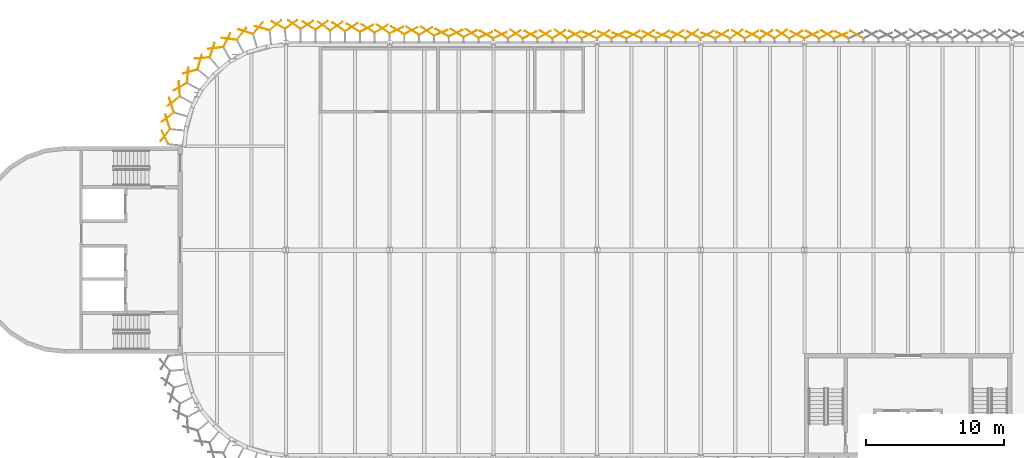
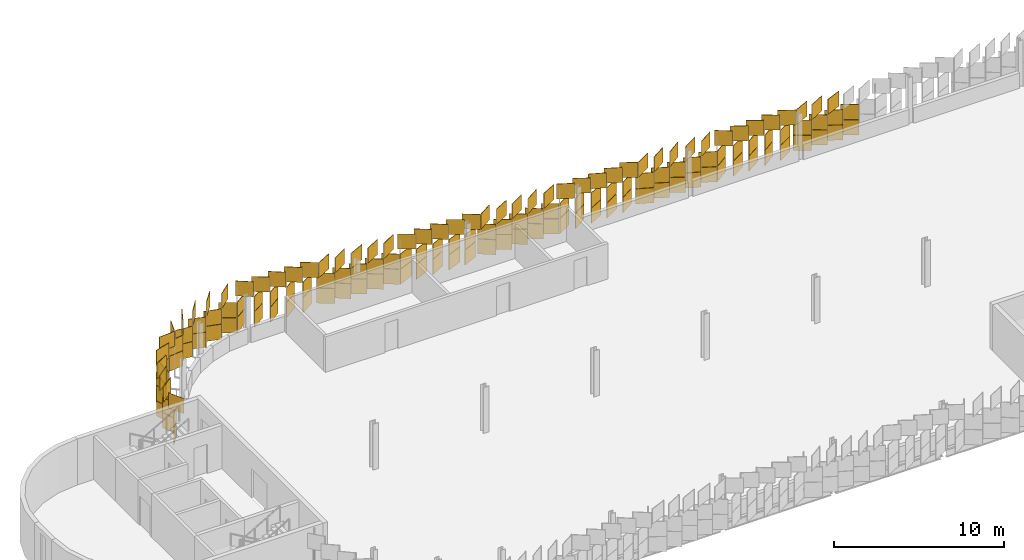
# One storey, part 195 of 198: 149 coverings.
"""IFC4 building model written with IfcOpenShell, lengths in metres."""

from ifc_helpers import new_model, si_unit, direction, frame, origin, origin_2d, place, context, subcontext, project, spatial, rectangle, extrude, material, layer, layer_set, type_object, element, save


model = new_model("IFC4")

# Units and contexts
model_context = context("Model", 3, precision=1e-05, world=origin(), true_north=direction((0.0, 1.0)))
body_context = subcontext(model_context, "Body", "Model", "MODEL_VIEW")
ifc_project = project(units=[si_unit("LENGTHUNIT", "METRE"), si_unit("AREAUNIT", "SQUARE_METRE"), si_unit("VOLUMEUNIT", "CUBIC_METRE"), si_unit("PLANEANGLEUNIT", "RADIAN"), si_unit("MASSUNIT", "GRAM", prefix="KILO")], contexts=[model_context])

# Site, building, storey
site_placement = place(None, origin())
site = spatial("IfcSite", under=ifc_project, at=site_placement, CompositionType="ELEMENT")
building_placement = place(site_placement, origin())
building = spatial("IfcBuilding", under=site, at=building_placement, Name="Parallax Yard Mobility Hub", CompositionType="ELEMENT")
storey_placement = place(building_placement, frame((0.0, 0.0, 6.60009765625)))
storey = spatial("IfcBuildingStorey", under=building, at=storey_placement, Name="L02", CompositionType="ELEMENT", Elevation=6.60009765625)

# Coverings
ifc_material_1 = material(Name="Aluminium panel, champagne finish", Category="aluminium")
ifc_layer_1 = layer(ifc_material_1, 0.030029296875)
ifc_layer_set_1 = layer_set([ifc_layer_1], Name="Skin panel 22.5 degree turn, champagne finish")
covering_type_1 = type_object("IfcCoveringType", Name="Skin panel 22.5 degree turn, champagne finish", PredefinedType="CLADDING", material=ifc_layer_set_1)
for number, where, z_axis, x_axis, name in (
    (1, (70.146484375, 143.012939453125, 2.219970703125), (0.0, 0.0, 1.0), (0.923879532511, 0.382683432365, 0.0), "Skin panel 22.5 bay 64.5 row 3 level L02"),
    (2, (60.546142578125, 143.012939453125, 1.119873046875), (0.0, 0.0, 1.0), (-0.923879532511, 0.382683432365, 0.0), "Skin panel 22.5 bay 65.7 row 2 level L02"),
    (3, (57.331298828125, 143.012939453125, 1.119873046875), (0.0, 0.0, 1.0), (-0.923879532511, 0.382683432365, 0.0), "Skin panel 22.5 bay 66.3 row 2 level L02"),
    (4, (54.11669921875, 143.012939453125, 2.219970703125), (0.0, 0.0, 1.0), (-0.923879532511, 0.382683432365, 0.0), "Skin panel 22.5 bay 66.6 row 3 level L02"),
    (5, (44.42919921875, 143.053955078125, 1.119873046875), (0.0, 0.0, 1.0), (0.923879532511, 0.382683432365, 0.0), "Skin panel 22.5 bay 68.1 row 2 level L02"),
    (6, (41.214599609375, 143.214599609375, 1.119873046875), (0.0, 0.0, 1.0), (0.923879532511, 0.382683432365, 0.0), "Skin panel 22.5 bay 68.4 row 2 level L02"),
):
    element("IfcCovering", number, at=place(storey_placement, frame(where, z_axis=z_axis, x_axis=x_axis)), inside=storey, type_object=covering_type_1, Name=name, ObjectType="SCREEN", PredefinedType="CLADDING", context=body_context, shape_type="SweptSolid", body=[
        extrude(rectangle(XDim=1.080078125, YDim=0.030029296875, at=origin_2d()), origin(), (0.0, 0.0, 1.0), 1.080078125),
    ])
ifc_material_2 = material(Name="Aluminium panel, light oak finish", Category="aluminium")
ifc_layer_2 = layer(ifc_material_2, 0.030029296875)
ifc_layer_set_2 = layer_set([ifc_layer_2], Name="Skin panel 22.5 degree turn, oak finish")
covering_type_2 = type_object("IfcCoveringType", Name="Skin panel 22.5 degree turn, oak finish", PredefinedType="CLADDING", material=ifc_layer_set_2)
for number, where, z_axis, x_axis, name in (
    (7, (60.546142578125, 143.012939453125, 0.019775390625), (0.0, 0.0, 1.0), (-0.923879532511, 0.382683432365, 0.0), "Skin panel 22.5 bay 65.7 row 1 level L02"),
    (8, (57.331298828125, 143.012939453125, 0.019775390625), (0.0, 0.0, 1.0), (-0.923879532511, 0.382683432365, 0.0), "Skin panel 22.5 bay 66.3 row 1 level L02"),
    (9, (44.42919921875, 143.053955078125, 0.019775390625), (0.0, 0.0, 1.0), (0.923879532511, 0.382683432365, 0.0), "Skin panel 22.5 bay 68.1 row 1 level L02"),
    (10, (41.214599609375, 143.214599609375, 0.019775390625), (0.0, 0.0, 1.0), (0.923879532511, 0.382683432365, 0.0), "Skin panel 22.5 bay 68.4 row 1 level L02"),
):
    element("IfcCovering", number, at=place(storey_placement, frame(where, z_axis=z_axis, x_axis=x_axis)), inside=storey, type_object=covering_type_2, Name=name, ObjectType="SCREEN", PredefinedType="CLADDING", context=body_context, shape_type="SweptSolid", body=[
        extrude(rectangle(XDim=1.080078125, YDim=0.030029296875, at=origin_2d()), origin(), (0.0, 0.0, 1.0), 1.080078125),
    ])
ifc_layer_3 = layer(ifc_material_1, 0.030029296875)
ifc_layer_set_3 = layer_set([ifc_layer_3], Name="Skin panel 25 degree turn, champagne finish")
covering_type_3 = type_object("IfcCoveringType", Name="Skin panel 25 degree turn, champagne finish", PredefinedType="CLADDING", material=ifc_layer_set_3)
for number, where, z_axis, x_axis, name in (
    (11, (67.99365234375, 143.03515625, 2.219970703125), (0.0, 0.0, 1.0), (0.906307787037, 0.422618261741, 0.0), "Skin panel 25 bay 64.7 row 3 level L02"),
    (12, (61.62744140625, 143.03515625, 1.119873046875), (0.0, 0.0, 1.0), (-0.906307787037, 0.422618261741, 0.0), "Skin panel 25 bay 65.6 row 2 level L02"),
    (13, (58.412841796875, 143.03515625, 1.119873046875), (0.0, 0.0, 1.0), (-0.906307787037, 0.422618261741, 0.0), "Skin panel 25 bay 66.2 row 2 level L02"),
    (14, (55.197998046875, 143.03515625, 2.219970703125), (0.0, 0.0, 1.0), (-0.906307787037, 0.422618261741, 0.0), "Skin panel 25 bay 66.5 row 3 level L02"),
    (15, (51.9833984375, 143.03515625, 2.219970703125), (0.0, 0.0, 1.0), (-0.906307787037, 0.422618261741, 0.0), "Skin panel 25 bay 67.1 row 3 level L02"),
    (16, (45.490966796875, 143.03515625, 1.119873046875), (0.0, 0.0, 1.0), (0.906307787037, 0.422618261741, 0.0), "Skin panel 25 bay 67.7 row 2 level L02"),
    (17, (42.2763671875, 143.183349609375, 1.119873046875), (0.0, 0.0, 1.0), (0.906307787037, 0.422618261741, 0.0), "Skin panel 25 bay 68.3 row 2 level L02"),
    (18, (37.989990234375, 143.397705078125, 2.219970703125), (0.0, 0.0, 1.0), (0.906307787037, 0.422618261741, 0.0), "Skin panel 25 bay 68.7 row 3 level L02"),
):
    element("IfcCovering", number, at=place(storey_placement, frame(where, z_axis=z_axis, x_axis=x_axis)), inside=storey, type_object=covering_type_3, Name=name, ObjectType="SCREEN", PredefinedType="CLADDING", context=body_context, shape_type="SweptSolid", body=[
        extrude(rectangle(XDim=1.080078125, YDim=0.030029296875, at=origin_2d()), origin(), (0.0, 0.0, 1.0), 1.080078125),
    ])
ifc_layer_4 = layer(ifc_material_2, 0.030029296875)
ifc_layer_set_4 = layer_set([ifc_layer_4], Name="Skin panel 25 degree turn, oak finish")
covering_type_4 = type_object("IfcCoveringType", Name="Skin panel 25 degree turn, oak finish", PredefinedType="CLADDING", material=ifc_layer_set_4)
for number, where, z_axis, x_axis, name in (
    (19, (61.62744140625, 143.03515625, 0.019775390625), (0.0, 0.0, 1.0), (-0.906307787037, 0.422618261741, 0.0), "Skin panel 25 bay 65.6 row 1 level L02"),
    (20, (58.412841796875, 143.03515625, 0.019775390625), (0.0, 0.0, 1.0), (-0.906307787037, 0.422618261741, 0.0), "Skin panel 25 bay 66.2 row 1 level L02"),
    (21, (45.490966796875, 143.03515625, 0.019775390625), (0.0, 0.0, 1.0), (0.906307787037, 0.422618261741, 0.0), "Skin panel 25 bay 67.7 row 1 level L02"),
    (22, (42.2763671875, 143.183349609375, 0.019775390625), (0.0, 0.0, 1.0), (0.906307787037, 0.422618261741, 0.0), "Skin panel 25 bay 68.3 row 1 level L02"),
):
    element("IfcCovering", number, at=place(storey_placement, frame(where, z_axis=z_axis, x_axis=x_axis)), inside=storey, type_object=covering_type_4, Name=name, ObjectType="SCREEN", PredefinedType="CLADDING", context=body_context, shape_type="SweptSolid", body=[
        extrude(rectangle(XDim=1.080078125, YDim=0.030029296875, at=origin_2d()), origin(), (0.0, 0.0, 1.0), 1.080078125),
    ])
ifc_layer_5 = layer(ifc_material_1, 0.030029296875)
ifc_layer_set_5 = layer_set([ifc_layer_5], Name="Skin panel 27.5 degree turn, champagne finish")
covering_type_5 = type_object("IfcCoveringType", Name="Skin panel 27.5 degree turn, champagne finish", PredefinedType="CLADDING", material=ifc_layer_set_5)
for number, where, z_axis, x_axis, name in (
    (23, (70.210693359375, 143.056884765625, 1.119873046875), (0.0, 0.0, 1.0), (-0.887010833178, 0.461748613235, 0.0), "Skin panel 27.5 bay 64.5 row 2 level L02"),
    (24, (69.054443359375, 143.056884765625, 2.219970703125), (0.0, 0.0, 1.0), (0.887010833178, 0.461748613235, 0.0), "Skin panel 27.5 bay 64.6 row 3 level L02"),
    (25, (66.995849609375, 143.056884765625, 2.219970703125), (0.0, 0.0, 1.0), (-0.887010833178, 0.461748613235, 0.0), "Skin panel 27.5 bay 65.1 row 3 level L02"),
    (26, (63.78125, 143.056884765625, 2.219970703125), (0.0, 0.0, 1.0), (-0.887010833178, 0.461748613235, 0.0), "Skin panel 27.5 bay 65.4 row 3 level L02"),
    (27, (59.4951171875, 143.056884765625, 1.119873046875), (0.0, 0.0, 1.0), (-0.887010833178, 0.461748613235, 0.0), "Skin panel 27.5 bay 66.1 row 2 level L02"),
    (28, (56.280517578125, 143.056884765625, 2.219970703125), (0.0, 0.0, 1.0), (-0.887010833178, 0.461748613235, 0.0), "Skin panel 27.5 bay 66.4 row 3 level L02"),
    (29, (54.052734375, 143.056884765625, 1.119873046875), (0.0, 0.0, 1.0), (0.887010833178, 0.461748613235, 0.0), "Skin panel 27.5 bay 66.6 row 2 level L02"),
    (30, (53.065673828125, 143.056884765625, 2.219970703125), (0.0, 0.0, 1.0), (-0.887010833178, 0.461748613235, 0.0), "Skin panel 27.5 bay 66.7 row 3 level L02"),
    (31, (50.837890625, 143.056884765625, 2.219970703125), (0.0, 0.0, 1.0), (0.887010833178, 0.461748613235, 0.0), "Skin panel 27.5 bay 67.2 row 3 level L02"),
    (32, (47.623291015625, 143.056884765625, 2.219970703125), (0.0, 0.0, 1.0), (0.887010833178, 0.461748613235, 0.0), "Skin panel 27.5 bay 67.5 row 3 level L02"),
    (33, (43.337158203125, 143.151611328125, 1.119873046875), (0.0, 0.0, 1.0), (0.887010833178, 0.461748613235, 0.0), "Skin panel 27.5 bay 68.2 row 2 level L02"),
    (34, (39.05078125, 143.36572265625, 2.219970703125), (0.0, 0.0, 1.0), (0.887010833178, 0.461748613235, 0.0), "Skin panel 27.5 bay 68.6 row 3 level L02"),
    (35, (35.836181640625, 143.526611328125, 2.219970703125), (0.0, 0.0, 1.0), (0.887010833178, 0.461748613235, 0.0), "Skin panel 27.5 bay 69.2 row 3 level L02"),
):
    element("IfcCovering", number, at=place(storey_placement, frame(where, z_axis=z_axis, x_axis=x_axis)), inside=storey, type_object=covering_type_5, Name=name, ObjectType="SCREEN", PredefinedType="CLADDING", context=body_context, shape_type="SweptSolid", body=[
        extrude(rectangle(XDim=1.080078125, YDim=0.030029296875, at=origin_2d()), origin(), (0.0, 0.0, 1.0), 1.080078125),
    ])
ifc_layer_6 = layer(ifc_material_2, 0.030029296875)
ifc_layer_set_6 = layer_set([ifc_layer_6], Name="Skin panel 27.5 degree turn, oak finish")
covering_type_6 = type_object("IfcCoveringType", Name="Skin panel 27.5 degree turn, oak finish", PredefinedType="CLADDING", material=ifc_layer_set_6)
for number, where, z_axis, x_axis, name in (
    (36, (70.210693359375, 143.056884765625, 0.019775390625), (0.0, 0.0, 1.0), (-0.887010833178, 0.461748613235, 0.0), "Skin panel 27.5 bay 64.5 row 1 level L02"),
    (37, (59.4951171875, 143.056884765625, 0.019775390625), (0.0, 0.0, 1.0), (-0.887010833178, 0.461748613235, 0.0), "Skin panel 27.5 bay 66.1 row 1 level L02"),
    (38, (54.052734375, 143.056884765625, 0.019775390625), (0.0, 0.0, 1.0), (0.887010833178, 0.461748613235, 0.0), "Skin panel 27.5 bay 66.6 row 1 level L02"),
    (39, (43.337158203125, 143.151611328125, 0.019775390625), (0.0, 0.0, 1.0), (0.887010833178, 0.461748613235, 0.0), "Skin panel 27.5 bay 68.2 row 1 level L02"),
):
    element("IfcCovering", number, at=place(storey_placement, frame(where, z_axis=z_axis, x_axis=x_axis)), inside=storey, type_object=covering_type_6, Name=name, ObjectType="SCREEN", PredefinedType="CLADDING", context=body_context, shape_type="SweptSolid", body=[
        extrude(rectangle(XDim=1.080078125, YDim=0.030029296875, at=origin_2d()), origin(), (0.0, 0.0, 1.0), 1.080078125),
    ])
ifc_layer_7 = layer(ifc_material_1, 0.030029296875)
ifc_layer_set_7 = layer_set([ifc_layer_7], Name="Skin panel 30 degree turn, champagne finish")
covering_type_7 = type_object("IfcCoveringType", Name="Skin panel 30 degree turn, champagne finish", PredefinedType="CLADDING", material=ifc_layer_set_7)
for number, where, z_axis, x_axis, name in (
    (40, (71.293701171875, 143.078125, 1.119873046875), (0.0, 0.0, 1.0), (-0.866025403784, 0.5, 0.0), "Skin panel 30 bay 64.4 row 2 level L02"),
    (41, (68.0791015625, 143.078125, 1.119873046875), (0.0, 0.0, 1.0), (-0.866025403784, 0.5, 0.0), "Skin panel 30 bay 64.7 row 2 level L02"),
    (42, (66.899658203125, 143.078125, 1.119873046875), (0.0, 0.0, 1.0), (0.866025403784, 0.5, 0.0), "Skin panel 30 bay 65.1 row 2 level L02"),
    (43, (64.864501953125, 143.078125, 2.219970703125), (0.0, 0.0, 1.0), (-0.866025403784, 0.5, 0.0), "Skin panel 30 bay 65.3 row 3 level L02"),
    (44, (63.68505859375, 143.078125, 1.119873046875), (0.0, 0.0, 1.0), (0.866025403784, 0.5, 0.0), "Skin panel 30 bay 65.4 row 2 level L02"),
    (45, (60.470458984375, 143.078125, 2.219970703125), (0.0, 0.0, 1.0), (0.866025403784, 0.5, 0.0), "Skin panel 30 bay 65.7 row 3 level L02"),
    (46, (57.255615234375, 143.078125, 2.219970703125), (0.0, 0.0, 1.0), (0.866025403784, 0.5, 0.0), "Skin panel 30 bay 66.3 row 3 level L02"),
    (47, (55.112548828125, 143.078125, 1.119873046875), (0.0, 0.0, 1.0), (0.866025403784, 0.5, 0.0), "Skin panel 30 bay 66.5 row 2 level L02"),
    (48, (51.89794921875, 143.078125, 1.119873046875), (0.0, 0.0, 1.0), (0.866025403784, 0.5, 0.0), "Skin panel 30 bay 67.1 row 2 level L02"),
    (49, (50.934326171875, 143.078125, 1.119873046875), (0.0, 0.0, 1.0), (-0.866025403784, 0.5, 0.0), "Skin panel 30 bay 67.2 row 2 level L02"),
    (50, (48.68310546875, 143.078125, 2.219970703125), (0.0, 0.0, 1.0), (0.866025403784, 0.5, 0.0), "Skin panel 30 bay 67.4 row 3 level L02"),
    (51, (47.719482421875, 143.078125, 1.119873046875), (0.0, 0.0, 1.0), (-0.866025403784, 0.5, 0.0), "Skin panel 30 bay 67.5 row 2 level L02"),
    (52, (44.5048828125, 143.078125, 2.219970703125), (0.0, 0.0, 1.0), (-0.866025403784, 0.5, 0.0), "Skin panel 30 bay 68.1 row 3 level L02"),
    (53, (41.290283203125, 143.226318359375, 2.219970703125), (0.0, 0.0, 1.0), (-0.866025403784, 0.5, 0.0), "Skin panel 30 bay 68.4 row 3 level L02"),
    (54, (40.11083984375, 143.33349609375, 2.219970703125), (0.0, 0.0, 1.0), (0.866025403784, 0.5, 0.0), "Skin panel 30 bay 68.5 row 3 level L02"),
    (55, (38.07568359375, 143.38720703125, 1.119873046875), (0.0, 0.0, 1.0), (-0.866025403784, 0.5, 0.0), "Skin panel 30 bay 68.7 row 2 level L02"),
    (56, (36.89599609375, 143.494384765625, 2.219970703125), (0.0, 0.0, 1.0), (0.866025403784, 0.5, 0.0), "Skin panel 30 bay 69.1 row 3 level L02"),
):
    element("IfcCovering", number, at=place(storey_placement, frame(where, z_axis=z_axis, x_axis=x_axis)), inside=storey, type_object=covering_type_7, Name=name, ObjectType="SCREEN", PredefinedType="CLADDING", context=body_context, shape_type="SweptSolid", body=[
        extrude(rectangle(XDim=1.080078125, YDim=0.030029296875, at=origin_2d()), origin(), (0.0, 0.0, 1.0), 1.080078125),
    ])
ifc_layer_8 = layer(ifc_material_2, 0.030029296875)
ifc_layer_set_8 = layer_set([ifc_layer_8], Name="Skin panel 30 degree turn, oak finish")
covering_type_8 = type_object("IfcCoveringType", Name="Skin panel 30 degree turn, oak finish", PredefinedType="CLADDING", material=ifc_layer_set_8)
for number, where, z_axis, x_axis, name in (
    (57, (71.293701171875, 143.078125, 0.019775390625), (0.0, 0.0, 1.0), (-0.866025403784, 0.5, 0.0), "Skin panel 30 bay 64.4 row 1 level L02"),
    (58, (68.0791015625, 143.078125, 0.019775390625), (0.0, 0.0, 1.0), (-0.866025403784, 0.5, 0.0), "Skin panel 30 bay 64.7 row 1 level L02"),
    (59, (66.899658203125, 143.078125, 0.019775390625), (0.0, 0.0, 1.0), (0.866025403784, 0.5, 0.0), "Skin panel 30 bay 65.1 row 1 level L02"),
    (60, (63.68505859375, 143.078125, 0.019775390625), (0.0, 0.0, 1.0), (0.866025403784, 0.5, 0.0), "Skin panel 30 bay 65.4 row 1 level L02"),
    (61, (55.112548828125, 143.078125, 0.019775390625), (0.0, 0.0, 1.0), (0.866025403784, 0.5, 0.0), "Skin panel 30 bay 66.5 row 1 level L02"),
    (62, (51.89794921875, 143.078125, 0.019775390625), (0.0, 0.0, 1.0), (0.866025403784, 0.5, 0.0), "Skin panel 30 bay 67.1 row 1 level L02"),
    (63, (50.934326171875, 143.078125, 0.019775390625), (0.0, 0.0, 1.0), (-0.866025403784, 0.5, 0.0), "Skin panel 30 bay 67.2 row 1 level L02"),
    (64, (47.719482421875, 143.078125, 0.019775390625), (0.0, 0.0, 1.0), (-0.866025403784, 0.5, 0.0), "Skin panel 30 bay 67.5 row 1 level L02"),
    (65, (38.07568359375, 143.38720703125, 0.019775390625), (0.0, 0.0, 1.0), (-0.866025403784, 0.5, 0.0), "Skin panel 30 bay 68.7 row 1 level L02"),
):
    element("IfcCovering", number, at=place(storey_placement, frame(where, z_axis=z_axis, x_axis=x_axis)), inside=storey, type_object=covering_type_8, Name=name, ObjectType="SCREEN", PredefinedType="CLADDING", context=body_context, shape_type="SweptSolid", body=[
        extrude(rectangle(XDim=1.080078125, YDim=0.030029296875, at=origin_2d()), origin(), (0.0, 0.0, 1.0), 1.080078125),
    ])
ifc_layer_9 = layer(ifc_material_1, 0.030029296875)
ifc_layer_set_9 = layer_set([ifc_layer_9], Name="Skin panel 32.5 degree turn, champagne finish")
covering_type_9 = type_object("IfcCoveringType", Name="Skin panel 32.5 degree turn, champagne finish", PredefinedType="CLADDING", material=ifc_layer_set_9)
for number, where, z_axis, x_axis, name in (
    (66, (69.163330078125, 143.098876953125, 1.119873046875), (0.0, 0.0, 1.0), (-0.843391445813, 0.537299608347, 0.0), "Skin panel 32.5 bay 64.6 row 2 level L02"),
    (67, (65.94873046875, 143.098876953125, 2.219970703125), (0.0, 0.0, 1.0), (-0.843391445813, 0.537299608347, 0.0), "Skin panel 32.5 bay 65.2 row 3 level L02"),
    (68, (64.743896484375, 143.098876953125, 1.119873046875), (0.0, 0.0, 1.0), (0.843391445813, 0.537299608347, 0.0), "Skin panel 32.5 bay 65.3 row 2 level L02"),
    (69, (62.73388671875, 143.098876953125, 2.219970703125), (0.0, 0.0, 1.0), (-0.843391445813, 0.537299608347, 0.0), "Skin panel 32.5 bay 65.5 row 3 level L02"),
    (70, (61.529296875, 143.098876953125, 2.219970703125), (0.0, 0.0, 1.0), (0.843391445813, 0.537299608347, 0.0), "Skin panel 32.5 bay 65.6 row 3 level L02"),
    (71, (58.314697265625, 143.098876953125, 2.219970703125), (0.0, 0.0, 1.0), (0.843391445813, 0.537299608347, 0.0), "Skin panel 32.5 bay 66.2 row 3 level L02"),
    (72, (56.17138671875, 143.098876953125, 1.119873046875), (0.0, 0.0, 1.0), (0.843391445813, 0.537299608347, 0.0), "Skin panel 32.5 bay 66.4 row 2 level L02"),
    (73, (52.956787109375, 143.098876953125, 1.119873046875), (0.0, 0.0, 1.0), (0.843391445813, 0.537299608347, 0.0), "Skin panel 32.5 bay 66.7 row 2 level L02"),
    (74, (49.7421875, 143.098876953125, 2.219970703125), (0.0, 0.0, 1.0), (0.843391445813, 0.537299608347, 0.0), "Skin panel 32.5 bay 67.3 row 3 level L02"),
    (75, (48.8037109375, 143.098876953125, 1.119873046875), (0.0, 0.0, 1.0), (-0.843391445813, 0.537299608347, 0.0), "Skin panel 32.5 bay 67.4 row 2 level L02"),
    (76, (46.527587890625, 143.098876953125, 2.219970703125), (0.0, 0.0, 1.0), (0.843391445813, 0.537299608347, 0.0), "Skin panel 32.5 bay 67.6 row 3 level L02"),
    (77, (45.589111328125, 143.098876953125, 2.219970703125), (0.0, 0.0, 1.0), (-0.843391445813, 0.537299608347, 0.0), "Skin panel 32.5 bay 67.7 row 3 level L02"),
    (78, (42.37451171875, 143.193603515625, 2.219970703125), (0.0, 0.0, 1.0), (-0.843391445813, 0.537299608347, 0.0), "Skin panel 32.5 bay 68.3 row 3 level L02"),
    (79, (39.159912109375, 143.354248046875, 1.119873046875), (0.0, 0.0, 1.0), (-0.843391445813, 0.537299608347, 0.0), "Skin panel 32.5 bay 68.6 row 2 level L02"),
    (80, (35.945068359375, 143.514892578125, 1.119873046875), (0.0, 0.0, 1.0), (-0.843391445813, 0.537299608347, 0.0), "Skin panel 32.5 bay 69.2 row 2 level L02"),
    (81, (34.740478515625, 143.622314453125, 1.119873046875), (0.0, 0.0, 1.0), (0.843391445813, 0.537299608347, 0.0), "Skin panel 32.5 bay 69.3 row 2 level L02"),
    (82, (34.87353515625, 143.568603515625, 2.219970703125), (0.0, 0.0, 1.0), (-0.843391445813, 0.537299608347, 0.0), "Skin panel 32.5 bay 69.3 row 3 level L02"),
    (83, (31.52587890625, 143.782958984375, 1.119873046875), (0.0, 0.0, 1.0), (0.843391445813, 0.537299608347, 0.0), "Skin panel 32.5 bay 69.6 row 2 level L02"),
    (84, (31.658935546875, 143.729248046875, 2.219970703125), (0.0, 0.0, 1.0), (-0.843391445813, 0.537299608347, 0.0), "Skin panel 32.5 bay 69.6 row 3 level L02"),
    (85, (28.2822265625, 143.538330078125, 1.119873046875), (0.0, 0.0, 1.0), (-0.963045136708, 0.269340053953, 0.0), "Skin panel 32.5 bay 70.2 row 2 level L02"),
    (86, (27.973876953125, 143.54248046875, 2.219970703125), (0.0, 0.0, 1.0), (0.651105449912, 0.758987281247, 0.0), "Skin panel 32.5 bay 70.2 row 3 level L02"),
    (87, (24.923095703125, 142.112060546875, 1.119873046875), (0.0, 0.0, 1.0), (-0.992809667009, -0.119703655305, 0.0), "Skin panel 32.5 bay 70.5 row 2 level L02"),
    (88, (24.6640625, 141.956787109375, 2.219970703125), (0.0, 0.0, 1.0), (0.311091140771, 0.950380082985, 0.0), "Skin panel 32.5 bay 70.5 row 3 level L02"),
    (89, (22.2890625, 139.162841796875, 1.119873046875), (0.0, 0.0, 1.0), (-0.076283974504, 0.997086132304, 0.0), "Skin panel 32.5 bay 70.8 row 2 level L02"),
    (90, (22.366943359375, 139.30859375, 2.219970703125), (0.0, 0.0, 1.0), (-0.87142792535, -0.490523568159, 0.0), "Skin panel 32.5 bay 70.8 row 3 level L02"),
    (91, (21.2744140625, 135.80859375, 1.119873046875), (0.0, 0.0, 1.0), (-0.617379181571, -0.786665714369, 0.0), "Skin panel 32.5 bay 70.11 row 2 level L02"),
    (92, (21.25830078125, 135.644287109375, 2.219970703125), (0.0, 0.0, 1.0), (-0.452045546177, 0.891994856589, 0.0), "Skin panel 32.5 bay 70.11 row 3 level L02"),
):
    element("IfcCovering", number, at=place(storey_placement, frame(where, z_axis=z_axis, x_axis=x_axis)), inside=storey, type_object=covering_type_9, Name=name, ObjectType="SCREEN", PredefinedType="CLADDING", context=body_context, shape_type="SweptSolid", body=[
        extrude(rectangle(XDim=1.080078125, YDim=0.030029296875, at=origin_2d()), origin(), (0.0, 0.0, 1.0), 1.080078125),
    ])
ifc_layer_10 = layer(ifc_material_2, 0.030029296875)
ifc_layer_set_10 = layer_set([ifc_layer_10], Name="Skin panel 32.5 degree turn, oak finish")
covering_type_10 = type_object("IfcCoveringType", Name="Skin panel 32.5 degree turn, oak finish", PredefinedType="CLADDING", material=ifc_layer_set_10)
for number, where, z_axis, x_axis, name in (
    (93, (69.163330078125, 143.098876953125, 0.019775390625), (0.0, 0.0, 1.0), (-0.843391445813, 0.537299608347, 0.0), "Skin panel 32.5 bay 64.6 row 1 level L02"),
    (94, (64.743896484375, 143.098876953125, 0.019775390625), (0.0, 0.0, 1.0), (0.843391445813, 0.537299608347, 0.0), "Skin panel 32.5 bay 65.3 row 1 level L02"),
    (95, (56.17138671875, 143.098876953125, 0.019775390625), (0.0, 0.0, 1.0), (0.843391445813, 0.537299608347, 0.0), "Skin panel 32.5 bay 66.4 row 1 level L02"),
    (96, (52.956787109375, 143.098876953125, 0.019775390625), (0.0, 0.0, 1.0), (0.843391445813, 0.537299608347, 0.0), "Skin panel 32.5 bay 66.7 row 1 level L02"),
    (97, (48.8037109375, 143.098876953125, 0.019775390625), (0.0, 0.0, 1.0), (-0.843391445813, 0.537299608347, 0.0), "Skin panel 32.5 bay 67.4 row 1 level L02"),
    (98, (39.159912109375, 143.354248046875, 0.019775390625), (0.0, 0.0, 1.0), (-0.843391445813, 0.537299608347, 0.0), "Skin panel 32.5 bay 68.6 row 1 level L02"),
    (99, (35.945068359375, 143.514892578125, 0.019775390625), (0.0, 0.0, 1.0), (-0.843391445813, 0.537299608347, 0.0), "Skin panel 32.5 bay 69.2 row 1 level L02"),
    (100, (34.740478515625, 143.622314453125, 0.019775390625), (0.0, 0.0, 1.0), (0.843391445813, 0.537299608347, 0.0), "Skin panel 32.5 bay 69.3 row 1 level L02"),
    (101, (31.52587890625, 143.782958984375, 0.019775390625), (0.0, 0.0, 1.0), (0.843391445813, 0.537299608347, 0.0), "Skin panel 32.5 bay 69.6 row 1 level L02"),
    (102, (28.2822265625, 143.538330078125, 0.019775390625), (0.0, 0.0, 1.0), (-0.963045136708, 0.269340053953, 0.0), "Skin panel 32.5 bay 70.2 row 1 level L02"),
    (103, (24.923095703125, 142.112060546875, 0.019775390625), (0.0, 0.0, 1.0), (-0.992809667009, -0.119703655305, 0.0), "Skin panel 32.5 bay 70.5 row 1 level L02"),
    (104, (22.2890625, 139.162841796875, 0.019775390625), (0.0, 0.0, 1.0), (-0.076283974504, 0.997086132304, 0.0), "Skin panel 32.5 bay 70.8 row 1 level L02"),
    (105, (21.2744140625, 135.80859375, 0.019775390625), (0.0, 0.0, 1.0), (-0.617379181571, -0.786665714369, 0.0), "Skin panel 32.5 bay 70.11 row 1 level L02"),
):
    element("IfcCovering", number, at=place(storey_placement, frame(where, z_axis=z_axis, x_axis=x_axis)), inside=storey, type_object=covering_type_10, Name=name, ObjectType="SCREEN", PredefinedType="CLADDING", context=body_context, shape_type="SweptSolid", body=[
        extrude(rectangle(XDim=1.080078125, YDim=0.030029296875, at=origin_2d()), origin(), (0.0, 0.0, 1.0), 1.080078125),
    ])
ifc_layer_11 = layer(ifc_material_1, 0.030029296875)
ifc_layer_set_11 = layer_set([ifc_layer_11], Name="Skin panel 35 degree turn, champagne finish")
covering_type_11 = type_object("IfcCoveringType", Name="Skin panel 35 degree turn, champagne finish", PredefinedType="CLADDING", material=ifc_layer_set_11)
for number, where, z_axis, x_axis, name in (
    (106, (65.802001953125, 143.119140625, 1.119873046875), (0.0, 0.0, 1.0), (0.819152044289, 0.573576436351, 0.0), "Skin panel 35 bay 65.2 row 2 level L02"),
    (107, (62.58740234375, 143.119140625, 1.119873046875), (0.0, 0.0, 1.0), (0.819152044289, 0.573576436351, 0.0), "Skin panel 35 bay 65.5 row 2 level L02"),
    (108, (59.372802734375, 143.119140625, 2.219970703125), (0.0, 0.0, 1.0), (0.819152044289, 0.573576436351, 0.0), "Skin panel 35 bay 66.1 row 3 level L02"),
    (109, (49.888916015625, 143.119140625, 1.119873046875), (0.0, 0.0, 1.0), (-0.819152044289, 0.573576436351, 0.0), "Skin panel 35 bay 67.3 row 2 level L02"),
    (110, (46.674072265625, 143.119140625, 1.119873046875), (0.0, 0.0, 1.0), (-0.819152044289, 0.573576436351, 0.0), "Skin panel 35 bay 67.6 row 2 level L02"),
    (111, (43.45947265625, 143.16015625, 2.219970703125), (0.0, 0.0, 1.0), (-0.819152044289, 0.573576436351, 0.0), "Skin panel 35 bay 68.2 row 3 level L02"),
    (112, (40.244873046875, 143.32080078125, 1.119873046875), (0.0, 0.0, 1.0), (-0.819152044289, 0.573576436351, 0.0), "Skin panel 35 bay 68.5 row 2 level L02"),
    (113, (37.030029296875, 143.481689453125, 1.119873046875), (0.0, 0.0, 1.0), (-0.819152044289, 0.573576436351, 0.0), "Skin panel 35 bay 69.1 row 2 level L02"),
    (114, (33.655517578125, 143.69580078125, 1.119873046875), (0.0, 0.0, 1.0), (0.819152044289, 0.573576436351, 0.0), "Skin panel 35 bay 69.4 row 2 level L02"),
    (115, (33.8154296875, 143.642333984375, 2.219970703125), (0.0, 0.0, 1.0), (-0.819152044289, 0.573576436351, 0.0), "Skin panel 35 bay 69.4 row 3 level L02"),
    (116, (32.583740234375, 143.74951171875, 1.119873046875), (0.0, 0.0, 1.0), (0.819152044289, 0.573576436351, 0.0), "Skin panel 35 bay 69.5 row 2 level L02"),
    (117, (32.743896484375, 143.69580078125, 2.219970703125), (0.0, 0.0, 1.0), (-0.819152044289, 0.573576436351, 0.0), "Skin panel 35 bay 69.5 row 3 level L02"),
    (118, (30.3720703125, 143.815673828125, 1.119873046875), (0.0, 0.0, 1.0), (0.819152044289, 0.573576436351, 0.0), "Skin panel 35 bay 69.7 row 2 level L02"),
    (119, (30.600830078125, 143.802978515625, 2.219970703125), (0.0, 0.0, 1.0), (-0.819152044289, 0.573576436351, 0.0), "Skin panel 35 bay 69.7 row 3 level L02"),
    (120, (29.431640625, 143.76953125, 1.119873046875), (0.0, 0.0, 1.0), (-0.87142792535, 0.490523568159, 0.0), "Skin panel 35 bay 70.1 row 2 level L02"),
    (121, (29.240234375, 143.750732421875, 2.219970703125), (0.0, 0.0, 1.0), (0.758987281247, 0.651105449912, 0.0), "Skin panel 35 bay 70.1 row 3 level L02"),
    (122, (27.0830078125, 143.293212890625, 1.119873046875), (0.0, 0.0, 1.0), (-0.950380082985, 0.311091140771, 0.0), "Skin panel 35 bay 70.3 row 2 level L02"),
    (123, (26.792236328125, 143.13671875, 2.219970703125), (0.0, 0.0, 1.0), (0.617379181571, 0.786665714369, 0.0), "Skin panel 35 bay 70.3 row 3 level L02"),
    (124, (25.896484375, 142.765380859375, 1.119873046875), (0.0, 0.0, 1.0), (-0.992809667009, 0.119703655305, 0.0), "Skin panel 35 bay 70.4 row 2 level L02"),
    (125, (25.72705078125, 142.675048828125, 2.219970703125), (0.0, 0.0, 1.0), (0.452045546177, 0.891994856589, 0.0), "Skin panel 35 bay 70.4 row 3 level L02"),
    (126, (23.7626953125, 141.0947265625, 1.119873046875), (0.0, 0.0, 1.0), (0.269340053953, 0.963045136708, 0.0), "Skin panel 35 bay 70.6 row 2 level L02"),
    (127, (23.936279296875, 141.3857421875, 2.219970703125), (0.0, 0.0, 1.0), (-0.997086132304, -0.076283974504, 0.0), "Skin panel 35 bay 70.6 row 3 level L02"),
    (128, (22.894287109375, 140.13623046875, 1.119873046875), (0.0, 0.0, 1.0), (0.076283974504, 0.997086132304, 0.0), "Skin panel 35 bay 70.7 row 2 level L02"),
    (129, (23.0771484375, 140.4091796875, 2.219970703125), (0.0, 0.0, 1.0), (-0.963045136708, -0.269340053953, 0.0), "Skin panel 35 bay 70.7 row 3 level L02"),
    (130, (21.7255859375, 137.97900390625, 1.119873046875), (0.0, 0.0, 1.0), (-0.311091140771, 0.950380082985, 0.0), "Skin panel 35 bay 70.9 row 2 level L02"),
    (131, (21.893798828125, 138.2646484375, 2.219970703125), (0.0, 0.0, 1.0), (-0.786665714369, -0.617379181571, 0.0), "Skin panel 35 bay 70.9 row 3 level L02"),
    (132, (21.44482421875, 136.77490234375, 1.119873046875), (0.0, 0.0, 1.0), (-0.311091140771, 0.950380082985, 0.0), "Skin panel 35 bay 70.10 row 2 level L02"),
    (133, (21.4609375, 137.106689453125, 2.219970703125), (0.0, 0.0, 1.0), (-0.786665714369, -0.617379181571, 0.0), "Skin panel 35 bay 70.10 row 3 level L02"),
):
    element("IfcCovering", number, at=place(storey_placement, frame(where, z_axis=z_axis, x_axis=x_axis)), inside=storey, type_object=covering_type_11, Name=name, ObjectType="SCREEN", PredefinedType="CLADDING", context=body_context, shape_type="SweptSolid", body=[
        extrude(rectangle(XDim=1.080078125, YDim=0.030029296875, at=origin_2d()), origin(), (0.0, 0.0, 1.0), 1.080078125),
    ])
ifc_layer_12 = layer(ifc_material_2, 0.030029296875)
ifc_layer_set_12 = layer_set([ifc_layer_12], Name="Skin panel 35 degree turn, oak finish")
covering_type_12 = type_object("IfcCoveringType", Name="Skin panel 35 degree turn, oak finish", PredefinedType="CLADDING", material=ifc_layer_set_12)
for number, where, z_axis, x_axis, name in (
    (134, (65.802001953125, 143.119140625, 0.019775390625), (0.0, 0.0, 1.0), (0.819152044289, 0.573576436351, 0.0), "Skin panel 35 bay 65.2 row 1 level L02"),
    (135, (62.58740234375, 143.119140625, 0.019775390625), (0.0, 0.0, 1.0), (0.819152044289, 0.573576436351, 0.0), "Skin panel 35 bay 65.5 row 1 level L02"),
    (136, (49.888916015625, 143.119140625, 0.019775390625), (0.0, 0.0, 1.0), (-0.819152044289, 0.573576436351, 0.0), "Skin panel 35 bay 67.3 row 1 level L02"),
    (137, (46.674072265625, 143.119140625, 0.019775390625), (0.0, 0.0, 1.0), (-0.819152044289, 0.573576436351, 0.0), "Skin panel 35 bay 67.6 row 1 level L02"),
    (138, (40.244873046875, 143.32080078125, 0.019775390625), (0.0, 0.0, 1.0), (-0.819152044289, 0.573576436351, 0.0), "Skin panel 35 bay 68.5 row 1 level L02"),
    (139, (37.030029296875, 143.481689453125, 0.019775390625), (0.0, 0.0, 1.0), (-0.819152044289, 0.573576436351, 0.0), "Skin panel 35 bay 69.1 row 1 level L02"),
    (140, (33.655517578125, 143.69580078125, 0.019775390625), (0.0, 0.0, 1.0), (0.819152044289, 0.573576436351, 0.0), "Skin panel 35 bay 69.4 row 1 level L02"),
    (141, (32.583740234375, 143.74951171875, 0.019775390625), (0.0, 0.0, 1.0), (0.819152044289, 0.573576436351, 0.0), "Skin panel 35 bay 69.5 row 1 level L02"),
    (142, (30.3720703125, 143.815673828125, 0.019775390625), (0.0, 0.0, 1.0), (0.819152044289, 0.573576436351, 0.0), "Skin panel 35 bay 69.7 row 1 level L02"),
    (143, (29.431640625, 143.76953125, 0.019775390625), (0.0, 0.0, 1.0), (-0.87142792535, 0.490523568159, 0.0), "Skin panel 35 bay 70.1 row 1 level L02"),
    (144, (27.0830078125, 143.293212890625, 0.019775390625), (0.0, 0.0, 1.0), (-0.950380082985, 0.311091140771, 0.0), "Skin panel 35 bay 70.3 row 1 level L02"),
    (145, (25.896484375, 142.765380859375, 0.019775390625), (0.0, 0.0, 1.0), (-0.992809667009, 0.119703655305, 0.0), "Skin panel 35 bay 70.4 row 1 level L02"),
    (146, (23.7626953125, 141.0947265625, 0.019775390625), (0.0, 0.0, 1.0), (0.269340053953, 0.963045136708, 0.0), "Skin panel 35 bay 70.6 row 1 level L02"),
    (147, (22.894287109375, 140.13623046875, 0.019775390625), (0.0, 0.0, 1.0), (0.076283974504, 0.997086132304, 0.0), "Skin panel 35 bay 70.7 row 1 level L02"),
    (148, (21.7255859375, 137.97900390625, 0.019775390625), (0.0, 0.0, 1.0), (-0.311091140771, 0.950380082985, 0.0), "Skin panel 35 bay 70.9 row 1 level L02"),
    (149, (21.44482421875, 136.77490234375, 0.019775390625), (0.0, 0.0, 1.0), (-0.311091140771, 0.950380082985, 0.0), "Skin panel 35 bay 70.10 row 1 level L02"),
):
    element("IfcCovering", number, at=place(storey_placement, frame(where, z_axis=z_axis, x_axis=x_axis)), inside=storey, type_object=covering_type_12, Name=name, ObjectType="SCREEN", PredefinedType="CLADDING", context=body_context, shape_type="SweptSolid", body=[
        extrude(rectangle(XDim=1.080078125, YDim=0.030029296875, at=origin_2d()), origin(), (0.0, 0.0, 1.0), 1.080078125),
    ])

save(model, "model.ifc")
